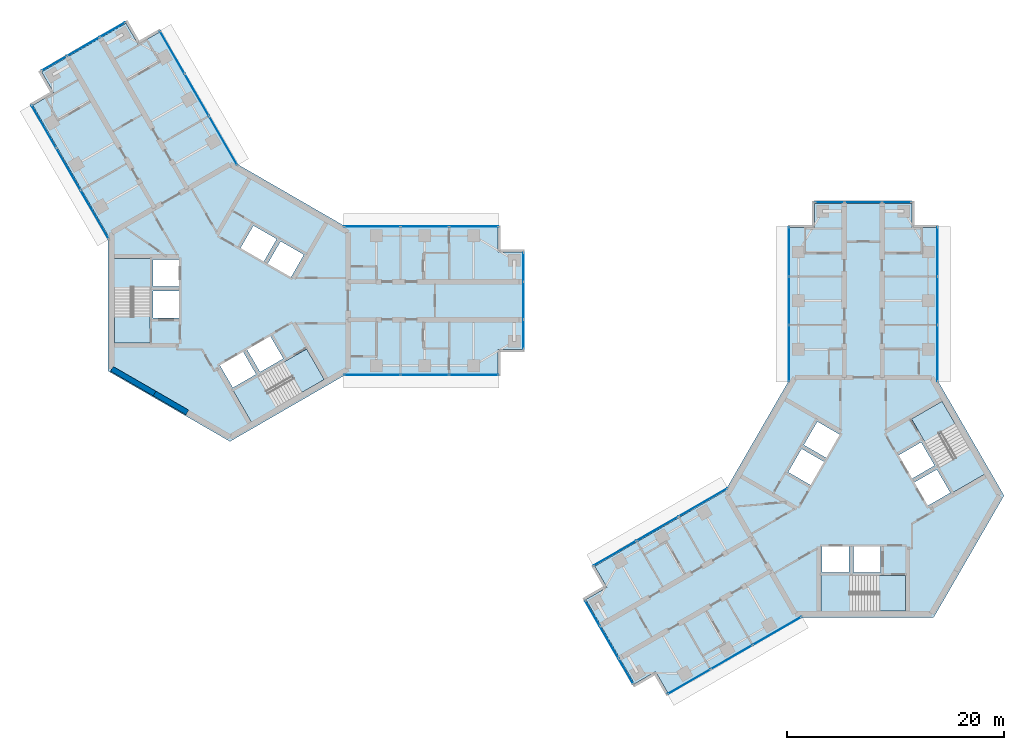
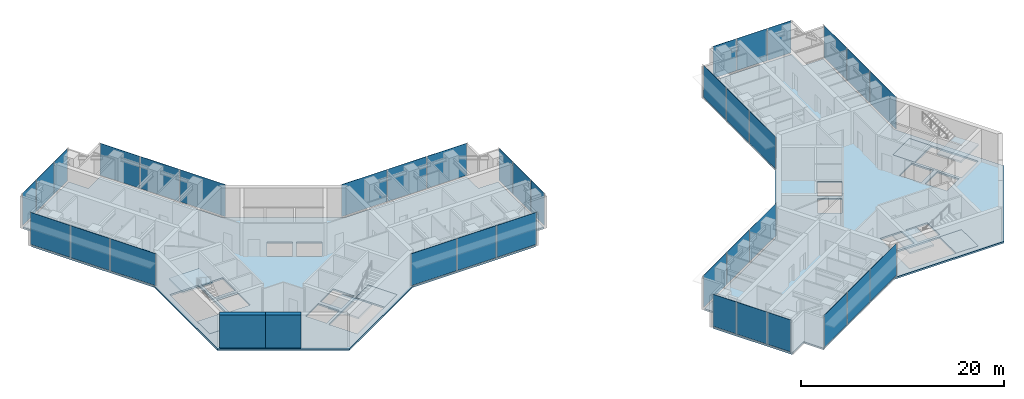
# One storey, part 10 of 17: 36 plates, 10 slabs, 2 walls, 16 elements without a shape of their own.
"""IFC4 building model written with IfcOpenShell, lengths in metres."""

import ifcopenshell
import ifcopenshell.guid

model = None  # the IFC model being written
_history = None  # IfcOwnerHistory: only IFC2X3 demands one
_inside = {}  # id of a spatial element -> (the spatial element, [elements in it])
_under = {}  # id of a project, library or spatial element -> (it, [spatial elements below it])
_declared = {}  # id of a project -> (the project, [libraries it declares])
_typed = {}  # id of a type object -> (the type object, [elements of that type])
_made_of = {}  # id of a material, layer set ... -> (it, [elements and type objects made of it])


def new_model(schema):
    """Start an empty IFC model of exactly this schema.

    Asked for "IFC4X3", IfcOpenShell would pick the latest addendum, in which some entities
    have other attributes; the version numbers below select the first issue.
    IFC2X3 requires an IfcOwnerHistory on every rooted entity: one is made here for all.
    """
    global model, _history
    if schema == "IFC4X3":
        model = ifcopenshell.file(schema_version=(4, 3, 0, 0))
    else:
        model = ifcopenshell.file(schema=schema)
    _inside.clear()
    _under.clear()
    _declared.clear()
    _typed.clear()
    _made_of.clear()
    _history = None
    if model.schema == "IFC2X3":
        org = make("IfcOrganization", Name="unknown")
        user = make(
            "IfcPersonAndOrganization",
            ThePerson=make("IfcPerson", FamilyName="unknown"),
            TheOrganization=org,
        )
        app = make(
            "IfcApplication",
            ApplicationDeveloper=org,
            Version="unknown",
            ApplicationFullName="unknown",
            ApplicationIdentifier="unknown",
        )
        _history = make(
            "IfcOwnerHistory",
            OwningUser=user,
            OwningApplication=app,
            ChangeAction="ADDED",
            CreationDate=0,
        )
    return model


def make(cls, **values):
    """One entity of the class cls with the attributes given. An attribute that is None is left unset."""
    return model.create_entity(
        cls, **{name: value for name, value in values.items() if value is not None}
    )


def rooted(cls, **values):
    """An entity with a GlobalId (a new one), such as an element, a storey or a relation."""
    return make(cls, GlobalId=ifcopenshell.guid.new(), OwnerHistory=_history, **values)


def si_unit(unit_type, name, prefix=None):
    """IfcSIUnit, for example si_unit("LENGTHUNIT", "METRE", prefix="MILLI")."""
    return make("IfcSIUnit", UnitType=unit_type, Prefix=prefix, Name=name)


def assignment(units):
    """IfcUnitAssignment: the units of a project."""
    return None if units is None else make("IfcUnitAssignment", Units=units)


def point(xyz):
    """IfcCartesianPoint."""
    return None if xyz is None else make("IfcCartesianPoint", Coordinates=xyz)


def direction(xyz):
    """IfcDirection."""
    return None if xyz is None else make("IfcDirection", DirectionRatios=xyz)


def frame(location, z_axis=None, x_axis=None):
    """IfcAxis2Placement3D, a coordinate frame: its origin and axes. An axis left out is left unset."""
    return make(
        "IfcAxis2Placement3D",
        Location=point(location),
        Axis=direction(z_axis),
        RefDirection=direction(x_axis),
    )


def frame_2d(location, x_axis=None):
    """IfcAxis2Placement2D, a coordinate frame in the plane: its origin and x axis."""
    return make(
        "IfcAxis2Placement2D", Location=point(location), RefDirection=direction(x_axis)
    )


def origin():
    """The frame at (0, 0, 0) with its axes left unset."""
    return frame((0.0, 0.0, 0.0))


def origin_2d():
    """The frame at (0, 0) in the plane with its x axis left unset."""
    return frame_2d((0.0, 0.0))


def place(relative_to, where):
    """IfcLocalPlacement: puts the frame where relative to a parent placement (None: the world)."""
    return make(
        "IfcLocalPlacement", PlacementRelTo=relative_to, RelativePlacement=where
    )


def context(
    kind, dimensions, precision=None, world=None, true_north=None, identifier=None
):
    """IfcGeometricRepresentationContext, for example the 3D "Model" context."""
    return make(
        "IfcGeometricRepresentationContext",
        ContextIdentifier=identifier,
        ContextType=kind,
        CoordinateSpaceDimension=dimensions,
        Precision=precision,
        WorldCoordinateSystem=world,
        TrueNorth=true_north,
    )


def subcontext(parent, identifier, kind, view, scale=None):
    """IfcGeometricRepresentationSubContext, for example "Body" below "Model"."""
    return make(
        "IfcGeometricRepresentationSubContext",
        ContextIdentifier=identifier,
        ContextType=kind,
        ParentContext=parent,
        TargetScale=scale,
        TargetView=view,
    )


def project(units=None, contexts=None):
    """IfcProject with its units and contexts."""
    return rooted(
        "IfcProject",
        Name="project",
        RepresentationContexts=contexts,
        UnitsInContext=assignment(units),
    )


def spatial(cls, under=None, at=None, **own):
    """A site, building, storey or space (cls), placed at a placement, below another one or the project."""
    s = rooted(cls, ObjectPlacement=at, **own)
    if under is not None:
        _under.setdefault(under.id(), (under, []))[1].append(s)
    return s


def polyline(points):
    """IfcPolyline through the points."""
    return make("IfcPolyline", Points=[point(p) for p in points])


def profile(cls, at=None, kind="AREA", **sizes):
    """A parametric profile (cls). Its sizes go by their IFC names, for example OverallWidth=200.0."""
    return make(cls, ProfileType=kind, Position=at, **sizes)


def rectangle(**sizes):
    """IfcRectangleProfileDef."""
    return profile("IfcRectangleProfileDef", **sizes)


def outline(outer, holes=None, kind="AREA"):
    """IfcArbitraryClosedProfileDef: a profile drawn as a closed curve; with holes, ...WithVoids."""
    if holes is None:
        return make("IfcArbitraryClosedProfileDef", ProfileType=kind, OuterCurve=outer)
    return make(
        "IfcArbitraryProfileDefWithVoids",
        ProfileType=kind,
        OuterCurve=outer,
        InnerCurves=holes,
    )


def extrude(swept, where, along, depth):
    """IfcExtrudedAreaSolid: the profile swept, set in the frame where, extruded along a direction by depth."""
    return make(
        "IfcExtrudedAreaSolid",
        SweptArea=swept,
        Position=where,
        ExtrudedDirection=direction(along),
        Depth=depth,
    )


def shape(context_of_items, identifier, shape_type, items):
    """IfcShapeRepresentation: the items that make up one representation, for example the "Body"."""
    return make(
        "IfcShapeRepresentation",
        ContextOfItems=context_of_items,
        RepresentationIdentifier=identifier,
        RepresentationType=shape_type,
        Items=items,
    )


def material(Name=None, Category=None):
    """IfcMaterial."""
    return make("IfcMaterial", Name=Name, Category=Category)


def layer(
    of_material, thickness, ventilated=None, Name=None, Category=None, Priority=None
):
    """IfcMaterialLayer: one layer of a wall or slab, of a material (None: an air gap)."""
    return make(
        "IfcMaterialLayer",
        Material=of_material,
        LayerThickness=thickness,
        IsVentilated=ventilated,
        Name=Name,
        Category=Category,
        Priority=Priority,
    )


def layer_set(layers, Name=None):
    """IfcMaterialLayerSet."""
    return make("IfcMaterialLayerSet", MaterialLayers=layers, LayerSetName=Name)


def made_of(thing, what):
    """Note that an element or type object is made of a material, layer set ...; save() writes the relation."""
    if what is not None:
        _made_of.setdefault(what.id(), (what, []))[1].append(thing)
    return thing


def type_object(cls, material=None, **own):
    """A type object (cls), such as IfcWallType, which elements share."""
    return made_of(rooted(cls, **own), material)


def element(
    cls,
    number,
    at=None,
    inside=None,
    cuts=None,
    type_object=None,
    material=None,
    context=None,
    identifier="Body",
    shape_type=None,
    held_by="IfcProductDefinitionShape",
    body=None,
    shapes=None,
    **own,
):
    """One element of the class cls, such as IfcWall. Its Tag is "e" and its number.

    at: its placement. inside: the storey or other place that contains it. cuts: it is an
    opening in that element (IfcRelVoidsElement). A single representation is given by context,
    identifier, shape_type and body (its items); several are given by shapes. held_by: the class
    of the entity that holds the representations. save() writes the other relations.
    """
    e = rooted(cls, Tag="e%d" % number, ObjectPlacement=at, **own)
    if body is not None:
        shapes = [shape(context, identifier, shape_type, body)]
    if shapes is not None:
        e.Representation = make(held_by, Representations=shapes)
    if inside is not None:
        _inside.setdefault(inside.id(), (inside, []))[1].append(e)
    if cuts is not None:
        rooted(
            "IfcRelVoidsElement", RelatingBuildingElement=cuts, RelatedOpeningElement=e
        )
    if type_object is not None:
        _typed.setdefault(type_object.id(), (type_object, []))[1].append(e)
    return made_of(e, material)


def aggregate(whole, parts):
    """IfcRelAggregates: a whole, such as a stair, and the parts it consists of."""
    return rooted("IfcRelAggregates", RelatingObject=whole, RelatedObjects=parts)


def save(model, path):
    """Write the relations noted so far, then the file.

    IfcRelAggregates (storeys below a building ...), IfcRelContainedInSpatialStructure (elements
    in a storey), IfcRelDefinesByType, IfcRelAssociatesMaterial and IfcRelDeclares: one each for
    every whole, place, type object, material and project.
    """
    for whole, parts in _under.values():
        aggregate(whole, parts)
    for where, things in _inside.values():
        rooted(
            "IfcRelContainedInSpatialStructure",
            RelatedElements=things,
            RelatingStructure=where,
        )
    for kind, things in _typed.values():
        rooted("IfcRelDefinesByType", RelatedObjects=things, RelatingType=kind)
    for what, things in _made_of.values():
        rooted("IfcRelAssociatesMaterial", RelatedObjects=things, RelatingMaterial=what)
    for by, libraries in _declared.values():
        rooted("IfcRelDeclares", RelatingContext=by, RelatedDefinitions=libraries)
    model.write(path)


model = new_model("IFC4")

# Units and contexts
model_context = context("Model", 3, precision=1e-05, world=origin(), true_north=direction((0.0, 1.0)))
body_context = subcontext(model_context, "Body", "Model", "MODEL_VIEW")
ifc_project = project(units=[si_unit("LENGTHUNIT", "METRE"), si_unit("AREAUNIT", "SQUARE_METRE"), si_unit("VOLUMEUNIT", "CUBIC_METRE"), si_unit("PLANEANGLEUNIT", "RADIAN"), si_unit("MASSUNIT", "GRAM", prefix="KILO")], contexts=[model_context])

# Site, building, storey
site_placement = place(None, origin())
site = spatial("IfcSite", under=ifc_project, at=site_placement, CompositionType="ELEMENT")
building_placement = place(site_placement, origin())
building = spatial("IfcBuilding", under=site, at=building_placement, Name="Upepo Twin Towers", CompositionType="ELEMENT")
storey_placement = place(building_placement, frame((0.0, 0.0, 210.5)))
storey = spatial("IfcBuildingStorey", under=building, at=storey_placement, Name="L51", CompositionType="ELEMENT", Elevation=210.5)

# Curtain wall, plates
ifc_material_1 = material(Name="Aluminium and fritted glass", Category="aluminium")
curtain_wall_type = type_object("IfcCurtainWallType", Name="Tower curtain wall TW3, fritted glass", PredefinedType="NOTDEFINED", material=ifc_material_1)
curtain_wall_1_placement = place(storey_placement, origin())
curtain_wall_1 = element("IfcCurtainWall", 1, at=curtain_wall_1_placement, inside=storey, type_object=curtain_wall_type, Name="T1 L51 wing A flank L curtain wall", PredefinedType="NOTDEFINED")
ifc_material_2 = material(Name="Ceramic-fritted laminated glass", Category="glass")
ifc_layer_1 = layer(ifc_material_2, 0.031982421875)
ifc_layer_set_1 = layer_set([ifc_layer_1], Name="Fritted glass panel, 55 per cent dot frit, 32 mm double glazed")
plate_type_1 = type_object("IfcPlateType", Name="Fritted glass panel, 55 per cent dot frit, 32 mm double glazed", PredefinedType="CURTAIN_PANEL", material=ifc_layer_set_1)
plate_1_placement = place(storey_placement, frame((13.134765625, 6.85009765625, 0.14990234375), z_axis=(0.0, 0.0, 1.0), x_axis=(1.0, 0.0, 0.0)))
plate_1 = element("IfcPlate", 2, at=plate_1_placement, type_object=plate_type_1, Name="T1 L51 wing A flank L curtain wall panel 1", PredefinedType="CURTAIN_PANEL", context=body_context, shape_type="SweptSolid", body=[
    extrude(rectangle(XDim=5.165283203125, YDim=0.031982421875, at=origin_2d()), origin(), (0.0, 0.0, 1.0), 3.85009765625),
])
plate_2_placement = place(storey_placement, frame((18.0, 6.85009765625, 0.14990234375), z_axis=(0.0, 0.0, 1.0), x_axis=(1.0, 0.0, 0.0)))
plate_2 = element("IfcPlate", 3, at=plate_2_placement, type_object=plate_type_1, Name="T1 L51 wing A flank L curtain wall panel 2", PredefinedType="CURTAIN_PANEL", context=body_context, shape_type="SweptSolid", body=[
    extrude(rectangle(XDim=4.43505859375, YDim=0.031982421875, at=origin_2d()), origin(), (0.0, 0.0, 1.0), 3.85009765625),
])
plate_3_placement = place(storey_placement, frame((22.53369140625, 6.85009765625, 0.14990234375), z_axis=(0.0, 0.0, 1.0), x_axis=(1.0, 0.0, 0.0)))
plate_3 = element("IfcPlate", 4, at=plate_3_placement, type_object=plate_type_1, Name="T1 L51 wing A flank L curtain wall panel 3", PredefinedType="CURTAIN_PANEL", context=body_context, shape_type="SweptSolid", body=[
    extrude(rectangle(XDim=4.50244140625, YDim=0.031982421875, at=origin_2d()), origin(), (0.0, 0.0, 1.0), 3.85009765625),
])
aggregate(curtain_wall_1, [plate_1, plate_2, plate_3])

curtain_wall_2_placement = place(storey_placement, origin())
curtain_wall_2 = element("IfcCurtainWall", 5, at=curtain_wall_2_placement, inside=storey, type_object=curtain_wall_type, Name="T1 L51 wing A flank R curtain wall", PredefinedType="NOTDEFINED")
plate_4_placement = place(storey_placement, frame((22.53369140625, -6.85009765625, 0.14990234375), z_axis=(0.0, 0.0, 1.0), x_axis=(-1.0, 0.0, 0.0)))
plate_4 = element("IfcPlate", 6, at=plate_4_placement, type_object=plate_type_1, Name="T1 L51 wing A flank R curtain wall panel 1", PredefinedType="CURTAIN_PANEL", context=body_context, shape_type="SweptSolid", body=[
    extrude(rectangle(XDim=4.50244140625, YDim=0.031982421875, at=origin_2d()), origin(), (0.0, 0.0, 1.0), 3.85009765625),
])
plate_5_placement = place(storey_placement, frame((18.0, -6.85009765625, 0.14990234375), z_axis=(0.0, 0.0, 1.0), x_axis=(-1.0, 0.0, 0.0)))
plate_5 = element("IfcPlate", 7, at=plate_5_placement, type_object=plate_type_1, Name="T1 L51 wing A flank R curtain wall panel 2", PredefinedType="CURTAIN_PANEL", context=body_context, shape_type="SweptSolid", body=[
    extrude(rectangle(XDim=4.43505859375, YDim=0.031982421875, at=origin_2d()), origin(), (0.0, 0.0, 1.0), 3.85009765625),
])
plate_6_placement = place(storey_placement, frame((13.134765625, -6.85009765625, 0.14990234375), z_axis=(0.0, 0.0, 1.0), x_axis=(-1.0, 0.0, 0.0)))
plate_6 = element("IfcPlate", 8, at=plate_6_placement, type_object=plate_type_1, Name="T1 L51 wing A flank R curtain wall panel 3", PredefinedType="CURTAIN_PANEL", context=body_context, shape_type="SweptSolid", body=[
    extrude(rectangle(XDim=5.165283203125, YDim=0.031982421875, at=origin_2d()), origin(), (0.0, 0.0, 1.0), 3.85009765625),
])
aggregate(curtain_wall_2, [plate_4, plate_5, plate_6])

# Curtain wall, plate
curtain_wall_3_placement = place(storey_placement, origin())
curtain_wall_3 = element("IfcCurtainWall", 9, at=curtain_wall_3_placement, inside=storey, type_object=curtain_wall_type, Name="T1 L51 wing A nose curtain wall", PredefinedType="NOTDEFINED")
plate_7_placement = place(storey_placement, frame((27.10009765625, 0.0, 0.14990234375), z_axis=(0.0, 0.0, 1.0), x_axis=(0.0, 1.0, 0.0)))
plate_7 = element("IfcPlate", 10, at=plate_7_placement, type_object=plate_type_1, Name="T1 L51 wing A nose curtain wall panel 2", PredefinedType="CURTAIN_PANEL", context=body_context, shape_type="SweptSolid", body=[
    extrude(rectangle(XDim=3.43505859375, YDim=0.031982421875, at=origin_2d()), origin(), (0.0, 0.0, 1.0), 3.85009765625),
])

# Curtain wall, plates
curtain_wall_4_placement = place(storey_placement, origin())
curtain_wall_4 = element("IfcCurtainWall", 11, at=curtain_wall_4_placement, inside=storey, type_object=curtain_wall_type, Name="T1 L51 wing B flank L curtain wall", PredefinedType="NOTDEFINED")
plate_8_placement = place(storey_placement, frame((-12.499755859375, 7.9501953125, 0.14990234375), z_axis=(0.0, 0.0, 1.0), x_axis=(-0.500000026527, 0.866025388469, 0.0)))
plate_8 = element("IfcPlate", 12, at=plate_8_placement, type_object=plate_type_1, Name="T1 L51 wing B flank L curtain wall panel 1", PredefinedType="CURTAIN_PANEL", context=body_context, shape_type="SweptSolid", body=[
    extrude(rectangle(XDim=5.165283203125, YDim=0.031982421875, at=origin_2d()), origin(), (0.0, 0.0, 1.0), 3.85009765625),
])
plate_9_placement = place(storey_placement, frame((-14.932373046875, 12.16357421875, 0.14990234375), z_axis=(0.0, 0.0, 1.0), x_axis=(-0.500000026527, 0.866025388469, 0.0)))
plate_9 = element("IfcPlate", 13, at=plate_9_placement, type_object=plate_type_1, Name="T1 L51 wing B flank L curtain wall panel 2", PredefinedType="CURTAIN_PANEL", context=body_context, shape_type="SweptSolid", body=[
    extrude(rectangle(XDim=4.43505859375, YDim=0.031982421875, at=origin_2d()), origin(), (0.0, 0.0, 1.0), 3.85009765625),
])
plate_10_placement = place(storey_placement, frame((-17.19921875, 16.08984375, 0.14990234375), z_axis=(0.0, 0.0, 1.0), x_axis=(-0.500000026527, 0.866025388469, 0.0)))
plate_10 = element("IfcPlate", 14, at=plate_10_placement, type_object=plate_type_1, Name="T1 L51 wing B flank L curtain wall panel 3", PredefinedType="CURTAIN_PANEL", context=body_context, shape_type="SweptSolid", body=[
    extrude(rectangle(XDim=4.50244140625, YDim=0.031982421875, at=origin_2d()), origin(), (0.0, 0.0, 1.0), 3.85009765625),
])
aggregate(curtain_wall_4, [plate_8, plate_9, plate_10])

curtain_wall_5_placement = place(storey_placement, origin())
curtain_wall_5 = element("IfcCurtainWall", 15, at=curtain_wall_5_placement, inside=storey, type_object=curtain_wall_type, Name="T1 L51 wing B flank R curtain wall", PredefinedType="NOTDEFINED")
plate_11_placement = place(storey_placement, frame((-5.334716796875, 22.939697265625, 0.14990234375), z_axis=(0.0, 0.0, 1.0), x_axis=(0.500000026527, -0.866025388469, 0.0)))
plate_11 = element("IfcPlate", 16, at=plate_11_placement, type_object=plate_type_1, Name="T1 L51 wing B flank R curtain wall panel 1", PredefinedType="CURTAIN_PANEL", context=body_context, shape_type="SweptSolid", body=[
    extrude(rectangle(XDim=4.50244140625, YDim=0.031982421875, at=origin_2d()), origin(), (0.0, 0.0, 1.0), 3.85009765625),
])
plate_12_placement = place(storey_placement, frame((-3.067626953125, 19.013427734375, 0.14990234375), z_axis=(0.0, 0.0, 1.0), x_axis=(0.500000026527, -0.866025388469, 0.0)))
plate_12 = element("IfcPlate", 17, at=plate_12_placement, type_object=plate_type_1, Name="T1 L51 wing B flank R curtain wall panel 2", PredefinedType="CURTAIN_PANEL", context=body_context, shape_type="SweptSolid", body=[
    extrude(rectangle(XDim=4.43505859375, YDim=0.031982421875, at=origin_2d()), origin(), (0.0, 0.0, 1.0), 3.85009765625),
])
plate_13_placement = place(storey_placement, frame((-0.635009765625, 14.800048828125, 0.14990234375), z_axis=(0.0, 0.0, 1.0), x_axis=(0.500000026527, -0.866025388469, 0.0)))
plate_13 = element("IfcPlate", 18, at=plate_13_placement, type_object=plate_type_1, Name="T1 L51 wing B flank R curtain wall panel 3", PredefinedType="CURTAIN_PANEL", context=body_context, shape_type="SweptSolid", body=[
    extrude(rectangle(XDim=5.165283203125, YDim=0.031982421875, at=origin_2d()), origin(), (0.0, 0.0, 1.0), 3.85009765625),
])
aggregate(curtain_wall_5, [plate_11, plate_12, plate_13])

# Curtain wall, plate
curtain_wall_6_placement = place(storey_placement, origin())
curtain_wall_6 = element("IfcCurtainWall", 19, at=curtain_wall_6_placement, inside=storey, type_object=curtain_wall_type, Name="T1 L51 wing B nose curtain wall", PredefinedType="NOTDEFINED")
plate_14_placement = place(storey_placement, frame((-13.550048828125, 23.46923828125, 0.14990234375), z_axis=(0.0, 0.0, 1.0), x_axis=(-0.866025386174, -0.500000030502, 0.0)))
plate_14 = element("IfcPlate", 20, at=plate_14_placement, type_object=plate_type_1, Name="T1 L51 wing B nose curtain wall panel 2", PredefinedType="CURTAIN_PANEL", context=body_context, shape_type="SweptSolid", body=[
    extrude(rectangle(XDim=3.43505859375, YDim=0.031982421875, at=origin_2d()), origin(), (0.0, 0.0, 1.0), 3.85009765625),
])

# Curtain wall, plates
curtain_wall_7_placement = place(storey_placement, origin())
curtain_wall_7 = element("IfcCurtainWall", 21, at=curtain_wall_7_placement, inside=storey, type_object=curtain_wall_type, Name="T2 L51 wing A flank L curtain wall", PredefinedType="NOTDEFINED")
plate_15_placement = place(storey_placement, frame((51.64990234375, -4.865234375, 0.14990234375), z_axis=(0.0, 0.0, 1.0), x_axis=(0.0, 1.0, 0.0)))
plate_15 = element("IfcPlate", 22, at=plate_15_placement, type_object=plate_type_1, Name="T2 L51 wing A flank L curtain wall panel 1", PredefinedType="CURTAIN_PANEL", context=body_context, shape_type="SweptSolid", body=[
    extrude(rectangle(XDim=5.165283203125, YDim=0.031982421875, at=origin_2d()), origin(), (0.0, 0.0, 1.0), 3.85009765625),
])
plate_16_placement = place(storey_placement, frame((51.64990234375, 0.0, 0.14990234375), z_axis=(0.0, 0.0, 1.0), x_axis=(0.0, 1.0, 0.0)))
plate_16 = element("IfcPlate", 23, at=plate_16_placement, type_object=plate_type_1, Name="T2 L51 wing A flank L curtain wall panel 2", PredefinedType="CURTAIN_PANEL", context=body_context, shape_type="SweptSolid", body=[
    extrude(rectangle(XDim=4.43505859375, YDim=0.031982421875, at=origin_2d()), origin(), (0.0, 0.0, 1.0), 3.85009765625),
])
plate_17_placement = place(storey_placement, frame((51.64990234375, 4.53369140625, 0.14990234375), z_axis=(0.0, 0.0, 1.0), x_axis=(0.0, 1.0, 0.0)))
plate_17 = element("IfcPlate", 24, at=plate_17_placement, type_object=plate_type_1, Name="T2 L51 wing A flank L curtain wall panel 3", PredefinedType="CURTAIN_PANEL", context=body_context, shape_type="SweptSolid", body=[
    extrude(rectangle(XDim=4.50244140625, YDim=0.031982421875, at=origin_2d()), origin(), (0.0, 0.0, 1.0), 3.85009765625),
])
aggregate(curtain_wall_7, [plate_15, plate_16, plate_17])

curtain_wall_8_placement = place(storey_placement, origin())
curtain_wall_8 = element("IfcCurtainWall", 25, at=curtain_wall_8_placement, inside=storey, type_object=curtain_wall_type, Name="T2 L51 wing A flank R curtain wall", PredefinedType="NOTDEFINED")
plate_18_placement = place(storey_placement, frame((65.35009765625, 4.53369140625, 0.14990234375), z_axis=(0.0, 0.0, 1.0), x_axis=(0.0, -1.0, 0.0)))
plate_18 = element("IfcPlate", 26, at=plate_18_placement, type_object=plate_type_1, Name="T2 L51 wing A flank R curtain wall panel 1", PredefinedType="CURTAIN_PANEL", context=body_context, shape_type="SweptSolid", body=[
    extrude(rectangle(XDim=4.50244140625, YDim=0.031982421875, at=origin_2d()), origin(), (0.0, 0.0, 1.0), 3.85009765625),
])
plate_19_placement = place(storey_placement, frame((65.35009765625, 0.0, 0.14990234375), z_axis=(0.0, 0.0, 1.0), x_axis=(0.0, -1.0, 0.0)))
plate_19 = element("IfcPlate", 27, at=plate_19_placement, type_object=plate_type_1, Name="T2 L51 wing A flank R curtain wall panel 2", PredefinedType="CURTAIN_PANEL", context=body_context, shape_type="SweptSolid", body=[
    extrude(rectangle(XDim=4.43505859375, YDim=0.031982421875, at=origin_2d()), origin(), (0.0, 0.0, 1.0), 3.85009765625),
])
plate_20_placement = place(storey_placement, frame((65.35009765625, -4.865234375, 0.14990234375), z_axis=(0.0, 0.0, 1.0), x_axis=(0.0, -1.0, 0.0)))
plate_20 = element("IfcPlate", 28, at=plate_20_placement, type_object=plate_type_1, Name="T2 L51 wing A flank R curtain wall panel 3", PredefinedType="CURTAIN_PANEL", context=body_context, shape_type="SweptSolid", body=[
    extrude(rectangle(XDim=5.165283203125, YDim=0.031982421875, at=origin_2d()), origin(), (0.0, 0.0, 1.0), 3.85009765625),
])
aggregate(curtain_wall_8, [plate_18, plate_19, plate_20])

# Curtain wall, plate
curtain_wall_9_placement = place(storey_placement, origin())
curtain_wall_9 = element("IfcCurtainWall", 29, at=curtain_wall_9_placement, inside=storey, type_object=curtain_wall_type, Name="T2 L51 wing A nose curtain wall", PredefinedType="NOTDEFINED")
plate_21_placement = place(storey_placement, frame((58.5, 9.10009765625, 0.14990234375), z_axis=(0.0, 0.0, 1.0), x_axis=(-1.0, 0.0, 0.0)))
plate_21 = element("IfcPlate", 30, at=plate_21_placement, type_object=plate_type_1, Name="T2 L51 wing A nose curtain wall panel 2", PredefinedType="CURTAIN_PANEL", context=body_context, shape_type="SweptSolid", body=[
    extrude(rectangle(XDim=3.43505859375, YDim=0.031982421875, at=origin_2d()), origin(), (0.0, 0.0, 1.0), 3.85009765625),
])

# Curtain wall, plates
curtain_wall_10_placement = place(storey_placement, origin())
curtain_wall_10 = element("IfcCurtainWall", 31, at=curtain_wall_10_placement, inside=storey, type_object=curtain_wall_type, Name="T2 L51 wing B flank L curtain wall", PredefinedType="NOTDEFINED")
plate_22_placement = place(storey_placement, frame((50.5498046875, -30.499755859375, 0.14990234375), z_axis=(0.0, 0.0, 1.0), x_axis=(-0.866025388469, -0.500000026527, 0.0)))
plate_22 = element("IfcPlate", 32, at=plate_22_placement, type_object=plate_type_1, Name="T2 L51 wing B flank L curtain wall panel 1", PredefinedType="CURTAIN_PANEL", context=body_context, shape_type="SweptSolid", body=[
    extrude(rectangle(XDim=5.165283203125, YDim=0.031982421875, at=origin_2d()), origin(), (0.0, 0.0, 1.0), 3.85009765625),
])
plate_23_placement = place(storey_placement, frame((46.33642578125, -32.932373046875, 0.14990234375), z_axis=(0.0, 0.0, 1.0), x_axis=(-0.866025388469, -0.500000026527, 0.0)))
plate_23 = element("IfcPlate", 33, at=plate_23_placement, type_object=plate_type_1, Name="T2 L51 wing B flank L curtain wall panel 2", PredefinedType="CURTAIN_PANEL", context=body_context, shape_type="SweptSolid", body=[
    extrude(rectangle(XDim=4.43505859375, YDim=0.031982421875, at=origin_2d()), origin(), (0.0, 0.0, 1.0), 3.85009765625),
])
plate_24_placement = place(storey_placement, frame((42.41015625, -35.19921875, 0.14990234375), z_axis=(0.0, 0.0, 1.0), x_axis=(-0.866025388469, -0.500000026527, 0.0)))
plate_24 = element("IfcPlate", 34, at=plate_24_placement, type_object=plate_type_1, Name="T2 L51 wing B flank L curtain wall panel 3", PredefinedType="CURTAIN_PANEL", context=body_context, shape_type="SweptSolid", body=[
    extrude(rectangle(XDim=4.50244140625, YDim=0.031982421875, at=origin_2d()), origin(), (0.0, 0.0, 1.0), 3.85009765625),
])
aggregate(curtain_wall_10, [plate_22, plate_23, plate_24])

curtain_wall_11_placement = place(storey_placement, origin())
curtain_wall_11 = element("IfcCurtainWall", 35, at=curtain_wall_11_placement, inside=storey, type_object=curtain_wall_type, Name="T2 L51 wing B flank R curtain wall", PredefinedType="NOTDEFINED")
plate_25_placement = place(storey_placement, frame((35.560302734375, -23.334716796875, 0.14990234375), z_axis=(0.0, 0.0, 1.0), x_axis=(0.866025388469, 0.500000026527, 0.0)))
plate_25 = element("IfcPlate", 36, at=plate_25_placement, type_object=plate_type_1, Name="T2 L51 wing B flank R curtain wall panel 1", PredefinedType="CURTAIN_PANEL", context=body_context, shape_type="SweptSolid", body=[
    extrude(rectangle(XDim=4.50244140625, YDim=0.031982421875, at=origin_2d()), origin(), (0.0, 0.0, 1.0), 3.85009765625),
])
plate_26_placement = place(storey_placement, frame((39.486572265625, -21.067626953125, 0.14990234375), z_axis=(0.0, 0.0, 1.0), x_axis=(0.866025388469, 0.500000026527, 0.0)))
plate_26 = element("IfcPlate", 37, at=plate_26_placement, type_object=plate_type_1, Name="T2 L51 wing B flank R curtain wall panel 2", PredefinedType="CURTAIN_PANEL", context=body_context, shape_type="SweptSolid", body=[
    extrude(rectangle(XDim=4.43505859375, YDim=0.031982421875, at=origin_2d()), origin(), (0.0, 0.0, 1.0), 3.85009765625),
])
plate_27_placement = place(storey_placement, frame((43.699951171875, -18.635009765625, 0.14990234375), z_axis=(0.0, 0.0, 1.0), x_axis=(0.866025388469, 0.500000026527, 0.0)))
plate_27 = element("IfcPlate", 38, at=plate_27_placement, type_object=plate_type_1, Name="T2 L51 wing B flank R curtain wall panel 3", PredefinedType="CURTAIN_PANEL", context=body_context, shape_type="SweptSolid", body=[
    extrude(rectangle(XDim=5.165283203125, YDim=0.031982421875, at=origin_2d()), origin(), (0.0, 0.0, 1.0), 3.85009765625),
])
aggregate(curtain_wall_11, [plate_25, plate_26, plate_27])

# Curtain wall, plate
curtain_wall_12_placement = place(storey_placement, origin())
curtain_wall_12 = element("IfcCurtainWall", 39, at=curtain_wall_12_placement, inside=storey, type_object=curtain_wall_type, Name="T2 L51 wing B nose curtain wall", PredefinedType="NOTDEFINED")
plate_28_placement = place(storey_placement, frame((35.03076171875, -31.550048828125, 0.14990234375), z_axis=(0.0, 0.0, 1.0), x_axis=(0.500000030502, -0.866025386174, 0.0)))
plate_28 = element("IfcPlate", 40, at=plate_28_placement, type_object=plate_type_1, Name="T2 L51 wing B nose curtain wall panel 2", PredefinedType="CURTAIN_PANEL", context=body_context, shape_type="SweptSolid", body=[
    extrude(rectangle(XDim=3.43505859375, YDim=0.031982421875, at=origin_2d()), origin(), (0.0, 0.0, 1.0), 3.85009765625),
])

# Plate
ifc_material_3 = material(Name="Clear laminated glass in opening sash", Category="glass")
ifc_layer_2 = layer(ifc_material_3, 0.031982421875)
ifc_layer_set_2 = layer_set([ifc_layer_2], Name="Operable glass panel, 32 mm double glazed")
plate_type_2 = type_object("IfcPlateType", Name="Operable glass panel, 32 mm double glazed", PredefinedType="CURTAIN_PANEL", material=ifc_layer_set_2)
plate_29_placement = place(storey_placement, frame((27.10009765625, -3.108642578125, 0.14990234375), z_axis=(0.0, 0.0, 1.0), x_axis=(0.0, 1.0, 0.0)))
plate_29 = element("IfcPlate", 41, at=plate_29_placement, type_object=plate_type_2, Name="T1 L51 wing A nose curtain wall panel 1", PredefinedType="CURTAIN_PANEL", context=body_context, shape_type="SweptSolid", body=[
    extrude(rectangle(XDim=2.652587890625, YDim=0.031982421875, at=origin_2d()), origin(), (0.0, 0.0, 1.0), 3.85009765625),
])

plate_30_placement = place(storey_placement, frame((27.10009765625, 3.108642578125, 0.14990234375), z_axis=(0.0, 0.0, 1.0), x_axis=(0.0, 1.0, 0.0)))
plate_30 = element("IfcPlate", 42, at=plate_30_placement, type_object=plate_type_2, Name="T1 L51 wing A nose curtain wall panel 3", PredefinedType="CURTAIN_PANEL", context=body_context, shape_type="SweptSolid", body=[
    extrude(rectangle(XDim=2.652587890625, YDim=0.031982421875, at=origin_2d()), origin(), (0.0, 0.0, 1.0), 3.85009765625),
])

aggregate(curtain_wall_3, [plate_29, plate_7, plate_30])

plate_31_placement = place(storey_placement, frame((-10.857666015625, 25.023681640625, 0.14990234375), z_axis=(0.0, 0.0, 1.0), x_axis=(-0.866025386174, -0.500000030502, 0.0)))
plate_31 = element("IfcPlate", 43, at=plate_31_placement, type_object=plate_type_2, Name="T1 L51 wing B nose curtain wall panel 1", PredefinedType="CURTAIN_PANEL", context=body_context, shape_type="SweptSolid", body=[
    extrude(rectangle(XDim=2.652587890625, YDim=0.031982421875, at=origin_2d()), origin(), (0.0, 0.0, 1.0), 3.85009765625),
])

plate_32_placement = place(storey_placement, frame((-16.2421875, 21.914794921875, 0.14990234375), z_axis=(0.0, 0.0, 1.0), x_axis=(-0.866025386174, -0.500000030502, 0.0)))
plate_32 = element("IfcPlate", 44, at=plate_32_placement, type_object=plate_type_2, Name="T1 L51 wing B nose curtain wall panel 3", PredefinedType="CURTAIN_PANEL", context=body_context, shape_type="SweptSolid", body=[
    extrude(rectangle(XDim=2.652587890625, YDim=0.031982421875, at=origin_2d()), origin(), (0.0, 0.0, 1.0), 3.85009765625),
])

aggregate(curtain_wall_6, [plate_31, plate_14, plate_32])

plate_33_placement = place(storey_placement, frame((61.608642578125, 9.10009765625, 0.14990234375), z_axis=(0.0, 0.0, 1.0), x_axis=(-1.0, 0.0, 0.0)))
plate_33 = element("IfcPlate", 45, at=plate_33_placement, type_object=plate_type_2, Name="T2 L51 wing A nose curtain wall panel 1", PredefinedType="CURTAIN_PANEL", context=body_context, shape_type="SweptSolid", body=[
    extrude(rectangle(XDim=2.652587890625, YDim=0.031982421875, at=origin_2d()), origin(), (0.0, 0.0, 1.0), 3.85009765625),
])

plate_34_placement = place(storey_placement, frame((55.391357421875, 9.10009765625, 0.14990234375), z_axis=(0.0, 0.0, 1.0), x_axis=(-1.0, 0.0, 0.0)))
plate_34 = element("IfcPlate", 46, at=plate_34_placement, type_object=plate_type_2, Name="T2 L51 wing A nose curtain wall panel 3", PredefinedType="CURTAIN_PANEL", context=body_context, shape_type="SweptSolid", body=[
    extrude(rectangle(XDim=2.652587890625, YDim=0.031982421875, at=origin_2d()), origin(), (0.0, 0.0, 1.0), 3.85009765625),
])

aggregate(curtain_wall_9, [plate_33, plate_21, plate_34])

plate_35_placement = place(storey_placement, frame((33.476318359375, -28.857666015625, 0.14990234375), z_axis=(0.0, 0.0, 1.0), x_axis=(0.500000030502, -0.866025386174, 0.0)))
plate_35 = element("IfcPlate", 47, at=plate_35_placement, type_object=plate_type_2, Name="T2 L51 wing B nose curtain wall panel 1", PredefinedType="CURTAIN_PANEL", context=body_context, shape_type="SweptSolid", body=[
    extrude(rectangle(XDim=2.652587890625, YDim=0.031982421875, at=origin_2d()), origin(), (0.0, 0.0, 1.0), 3.85009765625),
])

plate_36_placement = place(storey_placement, frame((36.585205078125, -34.2421875, 0.14990234375), z_axis=(0.0, 0.0, 1.0), x_axis=(0.500000030502, -0.866025386174, 0.0)))
plate_36 = element("IfcPlate", 48, at=plate_36_placement, type_object=plate_type_2, Name="T2 L51 wing B nose curtain wall panel 3", PredefinedType="CURTAIN_PANEL", context=body_context, shape_type="SweptSolid", body=[
    extrude(rectangle(XDim=2.652587890625, YDim=0.031982421875, at=origin_2d()), origin(), (0.0, 0.0, 1.0), 3.85009765625),
])

aggregate(curtain_wall_12, [plate_35, plate_28, plate_36])

# Stair, slabs
ifc_material_4 = material(Name="Concrete C40/50", Category="concrete")
stair_type = type_object("IfcStairType", Name="Core stair, two flights", PredefinedType="HALF_TURN_STAIR", material=ifc_material_4)
stair_1_placement = place(storey_placement, origin())
stair_1 = element("IfcStair", 49, at=stair_1_placement, inside=storey, type_object=stair_type, Name="T1 stair S1 L51", PredefinedType="HALF_TURN_STAIR")
ifc_material_5 = material(Name="Concrete C40/50", Category="concrete")
ifc_layer_3 = layer(ifc_material_5, 0.199951171875)
ifc_layer_set_3 = layer_set([ifc_layer_3], Name="Concrete C40/50")
slab_type_1 = type_object("IfcSlabType", Name="Stair landing 200 RC", PredefinedType="LANDING", material=ifc_layer_set_3)
slab_1_placement = place(storey_placement, frame((0.0, 0.0, -0.199951171875)))
slab_1 = element("IfcSlab", 50, at=slab_1_placement, type_object=slab_type_1, Name="Stair S1 landing 1", PredefinedType="LANDING", context=body_context, shape_type="SweptSolid", body=[
    extrude(outline(polyline([(-7.39990234375, -1.419921875), (-10.658447265625, -1.419921875), (-10.658447265625, -3.89990234375), (-7.39990234375, -3.89990234375), (-7.39990234375, -1.419921875)])), origin(), (0.0, 0.0, 1.0), 0.199951171875),
])
slab_2_placement = place(storey_placement, frame((0.0, 0.0, 1.800048828125)))
slab_2 = element("IfcSlab", 51, at=slab_2_placement, type_object=slab_type_1, Name="Stair S1 landing 2", PredefinedType="LANDING", context=body_context, shape_type="SweptSolid", body=[
    extrude(outline(polyline([(-7.300048828125, 3.89990234375), (-10.75830078125, 3.89990234375), (-10.75830078125, 1.179931640625), (-7.300048828125, 1.179931640625), (-7.300048828125, 3.89990234375)])), origin(), (0.0, 0.0, 1.0), 0.199951171875),
])
aggregate(stair_1, [slab_1, slab_2])

stair_2_placement = place(storey_placement, origin())
stair_2 = element("IfcStair", 52, at=stair_2_placement, inside=storey, type_object=stair_type, Name="T1 stair S2 L51", PredefinedType="HALF_TURN_STAIR")
slab_3_placement = place(storey_placement, frame((0.0, 0.0, -0.199951171875)))
slab_3 = element("IfcSlab", 53, at=slab_3_placement, type_object=slab_type_1, Name="Stair S2 landing 1", PredefinedType="LANDING", context=body_context, shape_type="SweptSolid", body=[
    extrude(outline(polyline([(4.9296875, -5.698486328125), (6.558837890625, -8.520263671875), (8.70654296875, -7.2802734375), (7.077392578125, -4.45849609375), (4.9296875, -5.698486328125)])), origin(), (0.0, 0.0, 1.0), 0.199951171875),
])
slab_4_placement = place(storey_placement, frame((0.0, 0.0, 1.800048828125)))
slab_4 = element("IfcSlab", 54, at=slab_4_placement, type_object=slab_type_1, Name="Stair S2 landing 2", PredefinedType="LANDING", context=body_context, shape_type="SweptSolid", body=[
    extrude(outline(polyline([(0.2724609375, -8.27197265625), (2.001708984375, -11.26708984375), (4.357177734375, -9.906982421875), (2.628173828125, -6.911865234375), (0.2724609375, -8.27197265625)])), origin(), (0.0, 0.0, 1.0), 0.199951171875),
])
aggregate(stair_2, [slab_3, slab_4])

stair_3_placement = place(storey_placement, origin())
stair_3 = element("IfcStair", 55, at=stair_3_placement, inside=storey, type_object=stair_type, Name="T2 stair S1 L51", PredefinedType="HALF_TURN_STAIR")
slab_5_placement = place(storey_placement, frame((0.0, 0.0, -0.199951171875)))
slab_5 = element("IfcSlab", 56, at=slab_5_placement, type_object=slab_type_1, Name="Stair S1 landing 1", PredefinedType="LANDING", context=body_context, shape_type="SweptSolid", body=[
    extrude(outline(polyline([(59.919921875, -25.39990234375), (59.919921875, -28.658447265625), (62.39990234375, -28.658447265625), (62.39990234375, -25.39990234375), (59.919921875, -25.39990234375)])), origin(), (0.0, 0.0, 1.0), 0.199951171875),
])
slab_6_placement = place(storey_placement, frame((0.0, 0.0, 1.800048828125)))
slab_6 = element("IfcSlab", 57, at=slab_6_placement, type_object=slab_type_1, Name="Stair S1 landing 2", PredefinedType="LANDING", context=body_context, shape_type="SweptSolid", body=[
    extrude(outline(polyline([(54.60009765625, -25.300048828125), (54.60009765625, -28.75830078125), (57.320068359375, -28.75830078125), (57.320068359375, -25.300048828125), (54.60009765625, -25.300048828125)])), origin(), (0.0, 0.0, 1.0), 0.199951171875),
])
aggregate(stair_3, [slab_5, slab_6])

stair_4_placement = place(storey_placement, origin())
stair_4 = element("IfcStair", 58, at=stair_4_placement, inside=storey, type_object=stair_type, Name="T2 stair S2 L51", PredefinedType="HALF_TURN_STAIR")
slab_7_placement = place(storey_placement, frame((0.0, 0.0, -0.199951171875)))
slab_7 = element("IfcSlab", 59, at=slab_7_placement, type_object=slab_type_1, Name="Stair S2 landing 1", PredefinedType="LANDING", context=body_context, shape_type="SweptSolid", body=[
    extrude(outline(polyline([(64.198486328125, -13.0703125), (67.020263671875, -11.441162109375), (65.7802734375, -9.29345703125), (62.95849609375, -10.922607421875), (64.198486328125, -13.0703125)])), origin(), (0.0, 0.0, 1.0), 0.199951171875),
])
slab_8_placement = place(storey_placement, frame((0.0, 0.0, 1.800048828125)))
slab_8 = element("IfcSlab", 60, at=slab_8_placement, type_object=slab_type_1, Name="Stair S2 landing 2", PredefinedType="LANDING", context=body_context, shape_type="SweptSolid", body=[
    extrude(outline(polyline([(66.77197265625, -17.7275390625), (69.76708984375, -15.998291015625), (68.406982421875, -13.642822265625), (65.411865234375, -15.371826171875), (66.77197265625, -17.7275390625)])), origin(), (0.0, 0.0, 1.0), 0.199951171875),
])
aggregate(stair_4, [slab_7, slab_8])

# Slabs
ifc_material_6 = material(Name="Concrete C40/50", Category="concrete")
ifc_layer_4 = layer(ifc_material_6, 0.199951171875)
ifc_layer_set_4 = layer_set([ifc_layer_4], Name="Concrete C40/50")
slab_type_2 = type_object("IfcSlabType", Name="Tower floor slab 200 RC", PredefinedType="FLOOR", material=ifc_layer_set_4)
slab_9_placement = place(storey_placement, frame((0.0, 0.0, -0.199951171875)))
element("IfcSlab", 61, at=slab_9_placement, inside=storey, type_object=slab_type_2, Name="T1 L51 floor slab", PredefinedType="FLOOR", context=body_context, shape_type="SweptSolid", body=[
    extrude(outline(polyline([(10.825439453125, 6.75), (24.75, 6.75), (24.75, 4.5), (27.0, 4.5), (27.0, -4.5), (24.75, -4.5), (24.75, -6.75), (10.825439453125, -6.75), (0.0, -13.0), (-11.25830078125, -6.5), (-11.25830078125, 6.0), (-18.220703125, 18.05908203125), (-16.272216796875, 19.18408203125), (-17.397216796875, 21.132568359375), (-9.602783203125, 25.632568359375), (-8.477783203125, 23.68408203125), (-6.529296875, 24.80908203125), (0.43310546875, 12.75), (10.825439453125, 6.75)]), holes=[polyline([(5.640869140625, 2.17041015625), (6.8408203125, 4.248779296875), (4.67578125, 5.498779296875), (3.475830078125, 3.42041015625), (5.640869140625, 2.17041015625)]), polyline([(3.12939453125, 3.620361328125), (4.329345703125, 5.69873046875), (2.164306640625, 6.94873046875), (0.96435546875, 4.870361328125), (3.12939453125, 3.620361328125)]), polyline([(-4.699951171875, 3.800048828125), (-7.10009765625, 3.800048828125), (-7.10009765625, 1.300048828125), (-4.699951171875, 1.300048828125), (-4.699951171875, 3.800048828125)]), polyline([(-4.699951171875, 0.89990234375), (-7.10009765625, 0.89990234375), (-7.10009765625, -1.60009765625), (-4.699951171875, -1.60009765625), (-4.699951171875, 0.89990234375)]), polyline([(-7.39990234375, 3.89990234375), (-10.658447265625, 3.89990234375), (-10.658447265625, -3.89990234375), (-7.39990234375, -3.89990234375), (-7.39990234375, 3.89990234375)]), polyline([(-0.94091796875, -5.97021484375), (0.259033203125, -8.048828125), (2.424072265625, -6.798828125), (1.22412109375, -4.72021484375), (-0.94091796875, -5.97021484375)]), polyline([(1.570556640625, -4.520263671875), (2.7705078125, -6.598876953125), (4.935546875, -5.348876953125), (3.735595703125, -3.270263671875), (1.570556640625, -4.520263671875)]), polyline([(0.322509765625, -8.358642578125), (1.95166015625, -11.180419921875), (8.70654296875, -7.2802734375), (7.077392578125, -4.45849609375), (0.322509765625, -8.358642578125)])]), origin(), (0.0, 0.0, 1.0), 0.199951171875),
])
slab_10_placement = place(storey_placement, frame((0.0, 0.0, -0.199951171875)))
element("IfcSlab", 62, at=slab_10_placement, inside=storey, type_object=slab_type_2, Name="T2 L51 floor slab", PredefinedType="FLOOR", context=body_context, shape_type="SweptSolid", body=[
    extrude(outline(polyline([(51.75, -7.174560546875), (51.75, 6.75), (54.0, 6.75), (54.0, 9.0), (63.0, 9.0), (63.0, 6.75), (65.25, 6.75), (65.25, -7.174560546875), (71.5, -18.0), (65.0, -29.25830078125), (52.5, -29.25830078125), (40.44091796875, -36.220703125), (39.31591796875, -34.272216796875), (37.367431640625, -35.397216796875), (32.867431640625, -27.602783203125), (34.81591796875, -26.477783203125), (33.69091796875, -24.529296875), (45.75, -17.56689453125), (51.75, -7.174560546875)]), holes=[polyline([(56.32958984375, -12.359130859375), (54.251220703125, -11.1591796875), (53.001220703125, -13.32421875), (55.07958984375, -14.524169921875), (56.32958984375, -12.359130859375)]), polyline([(54.879638671875, -14.87060546875), (52.80126953125, -13.670654296875), (51.55126953125, -15.835693359375), (53.629638671875, -17.03564453125), (54.879638671875, -14.87060546875)]), polyline([(54.699951171875, -22.699951171875), (54.699951171875, -25.10009765625), (57.199951171875, -25.10009765625), (57.199951171875, -22.699951171875), (54.699951171875, -22.699951171875)]), polyline([(57.60009765625, -22.699951171875), (57.60009765625, -25.10009765625), (60.10009765625, -25.10009765625), (60.10009765625, -22.699951171875), (57.60009765625, -22.699951171875)]), polyline([(54.60009765625, -25.39990234375), (54.60009765625, -28.658447265625), (62.39990234375, -28.658447265625), (62.39990234375, -25.39990234375), (54.60009765625, -25.39990234375)]), polyline([(64.47021484375, -18.94091796875), (66.548828125, -17.740966796875), (65.298828125, -15.575927734375), (63.22021484375, -16.77587890625), (64.47021484375, -18.94091796875)]), polyline([(63.020263671875, -16.429443359375), (65.098876953125, -15.2294921875), (63.848876953125, -13.064453125), (61.770263671875, -14.264404296875), (63.020263671875, -16.429443359375)]), polyline([(66.858642578125, -17.677490234375), (69.680419921875, -16.04833984375), (65.7802734375, -9.29345703125), (62.95849609375, -10.922607421875), (66.858642578125, -17.677490234375)])]), origin(), (0.0, 0.0, 1.0), 0.199951171875),
])

# Walls
ifc_material_7 = material(Name="Concrete C60/75", Category="concrete")
ifc_layer_5 = layer(ifc_material_7, 0.5)
ifc_layer_set_5 = layer_set([ifc_layer_5], Name="Concrete C60/75")
wall_type = type_object("IfcWallType", Name="Core wall 500 RC", PredefinedType="SHEAR", material=ifc_layer_set_5)
wall_1_placement = place(storey_placement, frame((-10.908447265625, -6.2978515625, 0.0), z_axis=(0.0, 0.0, 1.0), x_axis=(0.866034513004, -0.499984222037, 0.0)))
element("IfcWall", 63, at=wall_1_placement, inside=storey, type_object=wall_type, Name="T1 core wall 240 R", PredefinedType="SHEAR", context=body_context, shape_type="SweptSolid", body=[
    extrude(rectangle(XDim=4.548095703125, YDim=0.5, at=frame_2d((2.27392578125, 0.0))), origin(), (0.0, 0.0, 1.0), 4.0),
])
wall_2_placement = place(storey_placement, frame((-6.9697265625, -8.57177734375, 0.0), z_axis=(0.0, 0.0, 1.0), x_axis=(0.866019471182, -0.500010275428, 0.0)))
element("IfcWall", 64, at=wall_2_placement, inside=storey, type_object=wall_type, Name="T1 core wall 240", PredefinedType="SHEAR", context=body_context, shape_type="SweptSolid", body=[
    extrude(rectangle(XDim=3.5, YDim=0.5, at=frame_2d((1.75, 0.0))), origin(), (0.0, 0.0, 1.0), 4.0),
])

save(model, "model.ifc")
